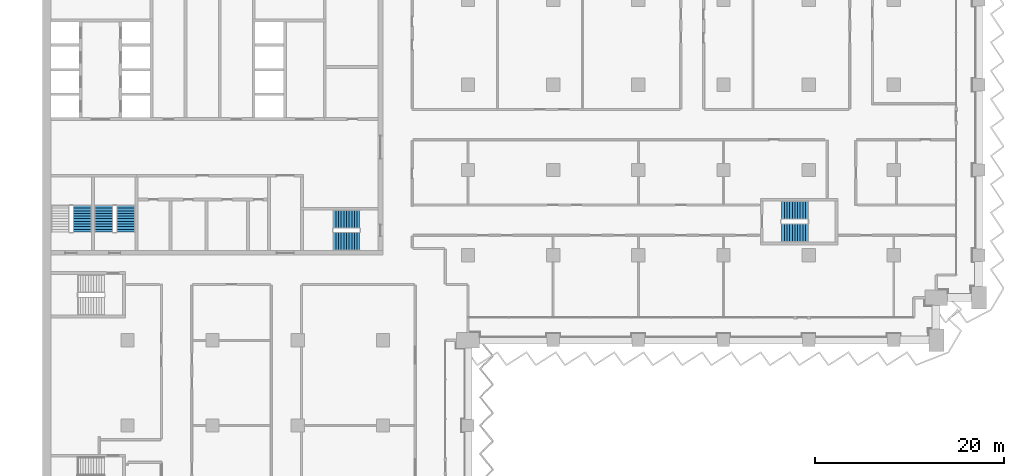
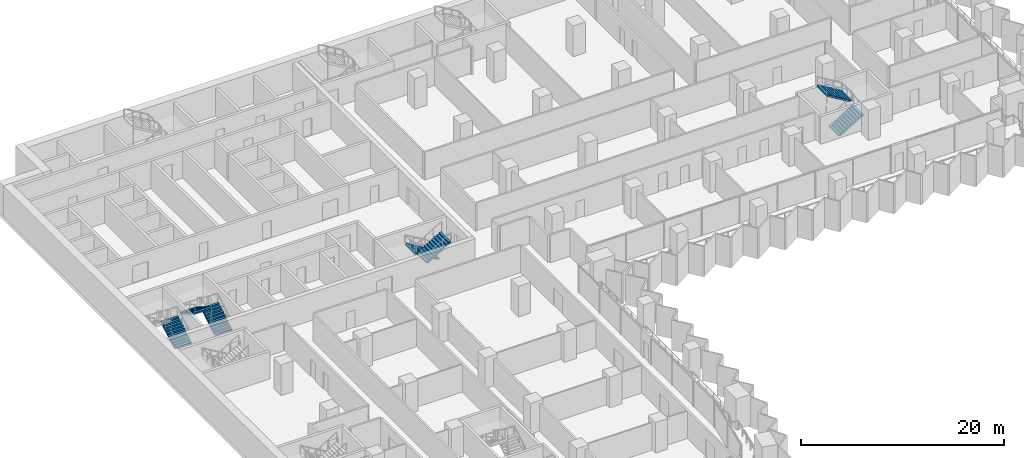
# One storey, part 20 of 28: 7 stair flights, 4 elements without a shape of their own.
"""IFC4 building model written with IfcOpenShell, lengths in metres."""

from ifc_helpers import new_model, si_unit, direction, frame, origin, place, context, subcontext, project, spatial, polyline, outline, extrude, material, type_object, element, aggregate, save


model = new_model("IFC4")

# Units and contexts
model_context = context("Model", 3, precision=1e-05, world=origin(), true_north=direction((0.0, 1.0)))
body_context = subcontext(model_context, "Body", "Model", "MODEL_VIEW")
ifc_project = project(units=[si_unit("LENGTHUNIT", "METRE"), si_unit("AREAUNIT", "SQUARE_METRE"), si_unit("VOLUMEUNIT", "CUBIC_METRE"), si_unit("PLANEANGLEUNIT", "RADIAN"), si_unit("MASSUNIT", "GRAM", prefix="KILO")], contexts=[model_context])

# Site, building, storey
site_placement = place(None, origin())
site = spatial("IfcSite", under=ifc_project, at=site_placement, CompositionType="ELEMENT")
building_placement = place(site_placement, origin())
building = spatial("IfcBuilding", under=site, at=building_placement, Name="Hunhe Ridgeline Campus", CompositionType="ELEMENT")
storey_placement = place(building_placement, frame((0.0, 0.0, 72.800048828125)))
storey = spatial("IfcBuildingStorey", under=building, at=storey_placement, Name="L17", CompositionType="ELEMENT", Elevation=72.800048828125)

# Stair, stair flights
ifc_material = material(Name="Concrete C40", Category="concrete")
stair_type = type_object("IfcStairType", Name="Reinforced concrete dog-leg stair 1950 Concrete C40", PredefinedType="HALF_TURN_STAIR", material=ifc_material)
stair_1_placement = place(storey_placement, origin())
stair_1 = element("IfcStair", 1, at=stair_1_placement, inside=storey, type_object=stair_type, Name="L17 S2", PredefinedType="HALF_TURN_STAIR")
stair_flight_type = type_object("IfcStairFlightType", Name="Reinforced concrete stair flight 1950 Concrete C40", PredefinedType="STRAIGHT", material=ifc_material)
stair_flight_1_placement = place(storey_placement, frame((33.550048828125, 66.77490234375, 0.0), z_axis=(0.0, 0.0, 1.0), x_axis=(-1.0, 0.0, 0.0)))
stair_flight_1 = element("IfcStairFlight", 2, at=stair_flight_1_placement, type_object=stair_flight_type, Name="ST2 flight 1", NumberOfRisers=11, NumberOfTreads=10, PredefinedType="STRAIGHT", RiserHeight=0.168181818, TreadLength=0.28, context=body_context, shape_type="SweptSolid", body=[
    extrude(outline(polyline([(0.0, 0.0), (0.0, 0.168212890625), (0.280029296875, 0.168212890625), (0.280029296875, 0.33642578125), (0.56005859375, 0.33642578125), (0.56005859375, 0.504638671875), (0.840087890625, 0.504638671875), (0.840087890625, 0.672607421875), (1.1201171875, 0.672607421875), (1.1201171875, 0.8408203125), (1.39990234375, 0.8408203125), (1.39990234375, 1.009033203125), (1.679931640625, 1.009033203125), (1.679931640625, 1.17724609375), (1.9599609375, 1.17724609375), (1.9599609375, 1.345458984375), (2.239990234375, 1.345458984375), (2.239990234375, 1.513671875), (2.52001953125, 1.513671875), (2.52001953125, 1.681884765625), (2.800048828125, 1.681884765625), (2.800048828125, 1.85009765625), (2.800048828125, 1.5068359375), (0.291015625, 0.0), (0.0, 0.0)])), frame((0.0, 0.97509765625, 0.0), z_axis=(0.0, -1.0, 0.0), x_axis=(1.0, 0.0, 0.0)), (0.0, 0.0, 1.0), 1.949951171875),
    extrude(outline(polyline([(0.030029296875, 0.030029296875), (0.030029296875, 0.13818359375), (0.31005859375, 0.13818359375), (0.31005859375, 0.306396484375), (0.590087890625, 0.306396484375), (0.590087890625, 0.474609375), (0.8701171875, 0.474609375), (0.8701171875, 0.642578125), (1.14990234375, 0.642578125), (1.14990234375, 0.810791015625), (1.429931640625, 0.810791015625), (1.429931640625, 0.97900390625), (1.7099609375, 0.97900390625), (1.7099609375, 1.147216796875), (1.989990234375, 1.147216796875), (1.989990234375, 1.3154296875), (2.27001953125, 1.3154296875), (2.27001953125, 1.483642578125), (2.550048828125, 1.483642578125), (2.550048828125, 1.65185546875), (2.77001953125, 1.65185546875), (2.77001953125, 1.52392578125), (0.28271484375, 0.030029296875), (0.030029296875, 0.030029296875)])), frame((0.0, -0.070068359375, 0.0), z_axis=(0.0, -1.0, 0.0), x_axis=(1.0, 0.0, 0.0)), (0.0, 0.0, 1.0), 0.019775390625),
    extrude(outline(polyline([(0.030029296875, 0.030029296875), (0.030029296875, 0.13818359375), (0.31005859375, 0.13818359375), (0.31005859375, 0.306396484375), (0.590087890625, 0.306396484375), (0.590087890625, 0.474609375), (0.8701171875, 0.474609375), (0.8701171875, 0.642578125), (1.14990234375, 0.642578125), (1.14990234375, 0.810791015625), (1.429931640625, 0.810791015625), (1.429931640625, 0.97900390625), (1.7099609375, 0.97900390625), (1.7099609375, 1.147216796875), (1.989990234375, 1.147216796875), (1.989990234375, 1.3154296875), (2.27001953125, 1.3154296875), (2.27001953125, 1.483642578125), (2.550048828125, 1.483642578125), (2.550048828125, 1.65185546875), (2.77001953125, 1.65185546875), (2.77001953125, 1.52392578125), (0.28271484375, 0.030029296875), (0.030029296875, 0.030029296875)])), frame((0.0, 0.010009765625, 0.0), z_axis=(0.0, -1.0, 0.0), x_axis=(1.0, 0.0, 0.0)), (0.0, 0.0, 1.0), 0.019775390625),
    extrude(outline(polyline([(0.030029296875, 0.030029296875), (0.030029296875, 0.13818359375), (0.31005859375, 0.13818359375), (0.31005859375, 0.306396484375), (0.590087890625, 0.306396484375), (0.590087890625, 0.474609375), (0.8701171875, 0.474609375), (0.8701171875, 0.642578125), (1.14990234375, 0.642578125), (1.14990234375, 0.810791015625), (1.429931640625, 0.810791015625), (1.429931640625, 0.97900390625), (1.7099609375, 0.97900390625), (1.7099609375, 1.147216796875), (1.989990234375, 1.147216796875), (1.989990234375, 1.3154296875), (2.27001953125, 1.3154296875), (2.27001953125, 1.483642578125), (2.550048828125, 1.483642578125), (2.550048828125, 1.65185546875), (2.77001953125, 1.65185546875), (2.77001953125, 1.52392578125), (0.28271484375, 0.030029296875), (0.030029296875, 0.030029296875)])), frame((0.0, 0.090087890625, 0.0), z_axis=(0.0, -1.0, 0.0), x_axis=(1.0, 0.0, 0.0)), (0.0, 0.0, 1.0), 0.019775390625),
])
stair_flight_2_placement = place(storey_placement, frame((30.75, 64.47509765625, 1.849853515625), z_axis=(0.0, 0.0, 1.0), x_axis=(1.0, 0.0, 0.0)))
stair_flight_2 = element("IfcStairFlight", 3, at=stair_flight_2_placement, type_object=stair_flight_type, Name="ST2 flight 2", NumberOfRisers=11, NumberOfTreads=10, PredefinedType="STRAIGHT", RiserHeight=0.168181818, TreadLength=0.28, context=body_context, shape_type="SweptSolid", body=[
    extrude(outline(polyline([(0.0, 0.0), (0.0, 0.168212890625), (0.280029296875, 0.168212890625), (0.280029296875, 0.33642578125), (0.56005859375, 0.33642578125), (0.56005859375, 0.504638671875), (0.840087890625, 0.504638671875), (0.840087890625, 0.672607421875), (1.1201171875, 0.672607421875), (1.1201171875, 0.8408203125), (1.39990234375, 0.8408203125), (1.39990234375, 1.009033203125), (1.679931640625, 1.009033203125), (1.679931640625, 1.17724609375), (1.9599609375, 1.17724609375), (1.9599609375, 1.345458984375), (2.239990234375, 1.345458984375), (2.239990234375, 1.513671875), (2.52001953125, 1.513671875), (2.52001953125, 1.681884765625), (2.800048828125, 1.681884765625), (2.800048828125, 1.85009765625), (2.800048828125, 1.5068359375), (0.291015625, 0.0), (0.0, 0.0)])), frame((0.0, 0.97509765625, 0.0), z_axis=(0.0, -1.0, 0.0), x_axis=(1.0, 0.0, 0.0)), (0.0, 0.0, 1.0), 1.949951171875),
    extrude(outline(polyline([(0.030029296875, 0.030029296875), (0.030029296875, 0.13818359375), (0.31005859375, 0.13818359375), (0.31005859375, 0.306396484375), (0.590087890625, 0.306396484375), (0.590087890625, 0.474609375), (0.8701171875, 0.474609375), (0.8701171875, 0.642578125), (1.14990234375, 0.642578125), (1.14990234375, 0.810791015625), (1.429931640625, 0.810791015625), (1.429931640625, 0.97900390625), (1.7099609375, 0.97900390625), (1.7099609375, 1.147216796875), (1.989990234375, 1.147216796875), (1.989990234375, 1.3154296875), (2.27001953125, 1.3154296875), (2.27001953125, 1.483642578125), (2.550048828125, 1.483642578125), (2.550048828125, 1.65185546875), (2.77001953125, 1.65185546875), (2.77001953125, 1.52392578125), (0.28271484375, 0.030029296875), (0.030029296875, 0.030029296875)])), frame((0.0, -0.070068359375, 0.0), z_axis=(0.0, -1.0, 0.0), x_axis=(1.0, 0.0, 0.0)), (0.0, 0.0, 1.0), 0.019775390625),
    extrude(outline(polyline([(0.030029296875, 0.030029296875), (0.030029296875, 0.13818359375), (0.31005859375, 0.13818359375), (0.31005859375, 0.306396484375), (0.590087890625, 0.306396484375), (0.590087890625, 0.474609375), (0.8701171875, 0.474609375), (0.8701171875, 0.642578125), (1.14990234375, 0.642578125), (1.14990234375, 0.810791015625), (1.429931640625, 0.810791015625), (1.429931640625, 0.97900390625), (1.7099609375, 0.97900390625), (1.7099609375, 1.147216796875), (1.989990234375, 1.147216796875), (1.989990234375, 1.3154296875), (2.27001953125, 1.3154296875), (2.27001953125, 1.483642578125), (2.550048828125, 1.483642578125), (2.550048828125, 1.65185546875), (2.77001953125, 1.65185546875), (2.77001953125, 1.52392578125), (0.28271484375, 0.030029296875), (0.030029296875, 0.030029296875)])), frame((0.0, 0.010009765625, 0.0), z_axis=(0.0, -1.0, 0.0), x_axis=(1.0, 0.0, 0.0)), (0.0, 0.0, 1.0), 0.019775390625),
    extrude(outline(polyline([(0.030029296875, 0.030029296875), (0.030029296875, 0.13818359375), (0.31005859375, 0.13818359375), (0.31005859375, 0.306396484375), (0.590087890625, 0.306396484375), (0.590087890625, 0.474609375), (0.8701171875, 0.474609375), (0.8701171875, 0.642578125), (1.14990234375, 0.642578125), (1.14990234375, 0.810791015625), (1.429931640625, 0.810791015625), (1.429931640625, 0.97900390625), (1.7099609375, 0.97900390625), (1.7099609375, 1.147216796875), (1.989990234375, 1.147216796875), (1.989990234375, 1.3154296875), (2.27001953125, 1.3154296875), (2.27001953125, 1.483642578125), (2.550048828125, 1.483642578125), (2.550048828125, 1.65185546875), (2.77001953125, 1.65185546875), (2.77001953125, 1.52392578125), (0.28271484375, 0.030029296875), (0.030029296875, 0.030029296875)])), frame((0.0, 0.090087890625, 0.0), z_axis=(0.0, -1.0, 0.0), x_axis=(1.0, 0.0, 0.0)), (0.0, 0.0, 1.0), 0.019775390625),
])
aggregate(stair_1, [stair_flight_1, stair_flight_2])

# Stair, stair flight
stair_2_placement = place(storey_placement, origin())
stair_2 = element("IfcStair", 4, at=stair_2_placement, inside=storey, type_object=stair_type, Name="L17 S3", PredefinedType="HALF_TURN_STAIR")
stair_flight_3_placement = place(storey_placement, frame((4.22509765625, 65.449951171875, 0.0), z_axis=(0.0, 0.0, 1.0), x_axis=(0.0, 1.0, 0.0)))
stair_flight_3 = element("IfcStairFlight", 5, at=stair_flight_3_placement, type_object=stair_flight_type, Name="ST3 flight 1", NumberOfRisers=11, NumberOfTreads=10, PredefinedType="STRAIGHT", RiserHeight=0.168181818, TreadLength=0.28, context=body_context, shape_type="SweptSolid", body=[
    extrude(outline(polyline([(0.0, 0.0), (0.0, 0.168212890625), (0.280029296875, 0.168212890625), (0.280029296875, 0.33642578125), (0.56005859375, 0.33642578125), (0.56005859375, 0.504638671875), (0.840087890625, 0.504638671875), (0.840087890625, 0.672607421875), (1.1201171875, 0.672607421875), (1.1201171875, 0.8408203125), (1.39990234375, 0.8408203125), (1.39990234375, 1.009033203125), (1.679931640625, 1.009033203125), (1.679931640625, 1.17724609375), (1.9599609375, 1.17724609375), (1.9599609375, 1.345458984375), (2.239990234375, 1.345458984375), (2.239990234375, 1.513671875), (2.52001953125, 1.513671875), (2.52001953125, 1.681884765625), (2.800048828125, 1.681884765625), (2.800048828125, 1.85009765625), (2.800048828125, 1.5068359375), (0.291015625, 0.0), (0.0, 0.0)])), frame((0.0, 0.97509765625, 0.0), z_axis=(0.0, -1.0, 0.0), x_axis=(1.0, 0.0, 0.0)), (0.0, 0.0, 1.0), 1.949951171875),
    extrude(outline(polyline([(0.030029296875, 0.030029296875), (0.030029296875, 0.13818359375), (0.31005859375, 0.13818359375), (0.31005859375, 0.306396484375), (0.590087890625, 0.306396484375), (0.590087890625, 0.474609375), (0.8701171875, 0.474609375), (0.8701171875, 0.642578125), (1.14990234375, 0.642578125), (1.14990234375, 0.810791015625), (1.429931640625, 0.810791015625), (1.429931640625, 0.97900390625), (1.7099609375, 0.97900390625), (1.7099609375, 1.147216796875), (1.989990234375, 1.147216796875), (1.989990234375, 1.3154296875), (2.27001953125, 1.3154296875), (2.27001953125, 1.483642578125), (2.550048828125, 1.483642578125), (2.550048828125, 1.65185546875), (2.77001953125, 1.65185546875), (2.77001953125, 1.52392578125), (0.28271484375, 0.030029296875), (0.030029296875, 0.030029296875)])), frame((0.0, -0.070068359375, 0.0), z_axis=(0.0, -1.0, 0.0), x_axis=(1.0, 0.0, 0.0)), (0.0, 0.0, 1.0), 0.019775390625),
    extrude(outline(polyline([(0.030029296875, 0.030029296875), (0.030029296875, 0.13818359375), (0.31005859375, 0.13818359375), (0.31005859375, 0.306396484375), (0.590087890625, 0.306396484375), (0.590087890625, 0.474609375), (0.8701171875, 0.474609375), (0.8701171875, 0.642578125), (1.14990234375, 0.642578125), (1.14990234375, 0.810791015625), (1.429931640625, 0.810791015625), (1.429931640625, 0.97900390625), (1.7099609375, 0.97900390625), (1.7099609375, 1.147216796875), (1.989990234375, 1.147216796875), (1.989990234375, 1.3154296875), (2.27001953125, 1.3154296875), (2.27001953125, 1.483642578125), (2.550048828125, 1.483642578125), (2.550048828125, 1.65185546875), (2.77001953125, 1.65185546875), (2.77001953125, 1.52392578125), (0.28271484375, 0.030029296875), (0.030029296875, 0.030029296875)])), frame((0.0, 0.010009765625, 0.0), z_axis=(0.0, -1.0, 0.0), x_axis=(1.0, 0.0, 0.0)), (0.0, 0.0, 1.0), 0.019775390625),
    extrude(outline(polyline([(0.030029296875, 0.030029296875), (0.030029296875, 0.13818359375), (0.31005859375, 0.13818359375), (0.31005859375, 0.306396484375), (0.590087890625, 0.306396484375), (0.590087890625, 0.474609375), (0.8701171875, 0.474609375), (0.8701171875, 0.642578125), (1.14990234375, 0.642578125), (1.14990234375, 0.810791015625), (1.429931640625, 0.810791015625), (1.429931640625, 0.97900390625), (1.7099609375, 0.97900390625), (1.7099609375, 1.147216796875), (1.989990234375, 1.147216796875), (1.989990234375, 1.3154296875), (2.27001953125, 1.3154296875), (2.27001953125, 1.483642578125), (2.550048828125, 1.483642578125), (2.550048828125, 1.65185546875), (2.77001953125, 1.65185546875), (2.77001953125, 1.52392578125), (0.28271484375, 0.030029296875), (0.030029296875, 0.030029296875)])), frame((0.0, 0.090087890625, 0.0), z_axis=(0.0, -1.0, 0.0), x_axis=(1.0, 0.0, 0.0)), (0.0, 0.0, 1.0), 0.019775390625),
])
aggregate(stair_2, [stair_flight_3])

# Stair, stair flights
stair_3_placement = place(storey_placement, origin())
stair_3 = element("IfcStair", 6, at=stair_3_placement, inside=storey, type_object=stair_type, Name="L17 S4", PredefinedType="HALF_TURN_STAIR")
stair_flight_4_placement = place(storey_placement, frame((8.824951171875, 65.449951171875, 0.0), z_axis=(0.0, 0.0, 1.0), x_axis=(0.0, 1.0, 0.0)))
stair_flight_4 = element("IfcStairFlight", 7, at=stair_flight_4_placement, type_object=stair_flight_type, Name="ST4 flight 1", NumberOfRisers=11, NumberOfTreads=10, PredefinedType="STRAIGHT", RiserHeight=0.168181818, TreadLength=0.28, context=body_context, shape_type="SweptSolid", body=[
    extrude(outline(polyline([(0.0, 0.0), (0.0, 0.168212890625), (0.280029296875, 0.168212890625), (0.280029296875, 0.33642578125), (0.56005859375, 0.33642578125), (0.56005859375, 0.504638671875), (0.840087890625, 0.504638671875), (0.840087890625, 0.672607421875), (1.1201171875, 0.672607421875), (1.1201171875, 0.8408203125), (1.39990234375, 0.8408203125), (1.39990234375, 1.009033203125), (1.679931640625, 1.009033203125), (1.679931640625, 1.17724609375), (1.9599609375, 1.17724609375), (1.9599609375, 1.345458984375), (2.239990234375, 1.345458984375), (2.239990234375, 1.513671875), (2.52001953125, 1.513671875), (2.52001953125, 1.681884765625), (2.800048828125, 1.681884765625), (2.800048828125, 1.85009765625), (2.800048828125, 1.5068359375), (0.291015625, 0.0), (0.0, 0.0)])), frame((0.0, 0.97509765625, 0.0), z_axis=(0.0, -1.0, 0.0), x_axis=(1.0, 0.0, 0.0)), (0.0, 0.0, 1.0), 1.949951171875),
    extrude(outline(polyline([(0.030029296875, 0.030029296875), (0.030029296875, 0.13818359375), (0.31005859375, 0.13818359375), (0.31005859375, 0.306396484375), (0.590087890625, 0.306396484375), (0.590087890625, 0.474609375), (0.8701171875, 0.474609375), (0.8701171875, 0.642578125), (1.14990234375, 0.642578125), (1.14990234375, 0.810791015625), (1.429931640625, 0.810791015625), (1.429931640625, 0.97900390625), (1.7099609375, 0.97900390625), (1.7099609375, 1.147216796875), (1.989990234375, 1.147216796875), (1.989990234375, 1.3154296875), (2.27001953125, 1.3154296875), (2.27001953125, 1.483642578125), (2.550048828125, 1.483642578125), (2.550048828125, 1.65185546875), (2.77001953125, 1.65185546875), (2.77001953125, 1.52392578125), (0.28271484375, 0.030029296875), (0.030029296875, 0.030029296875)])), frame((0.0, -0.070068359375, 0.0), z_axis=(0.0, -1.0, 0.0), x_axis=(1.0, 0.0, 0.0)), (0.0, 0.0, 1.0), 0.019775390625),
    extrude(outline(polyline([(0.030029296875, 0.030029296875), (0.030029296875, 0.13818359375), (0.31005859375, 0.13818359375), (0.31005859375, 0.306396484375), (0.590087890625, 0.306396484375), (0.590087890625, 0.474609375), (0.8701171875, 0.474609375), (0.8701171875, 0.642578125), (1.14990234375, 0.642578125), (1.14990234375, 0.810791015625), (1.429931640625, 0.810791015625), (1.429931640625, 0.97900390625), (1.7099609375, 0.97900390625), (1.7099609375, 1.147216796875), (1.989990234375, 1.147216796875), (1.989990234375, 1.3154296875), (2.27001953125, 1.3154296875), (2.27001953125, 1.483642578125), (2.550048828125, 1.483642578125), (2.550048828125, 1.65185546875), (2.77001953125, 1.65185546875), (2.77001953125, 1.52392578125), (0.28271484375, 0.030029296875), (0.030029296875, 0.030029296875)])), frame((0.0, 0.010009765625, 0.0), z_axis=(0.0, -1.0, 0.0), x_axis=(1.0, 0.0, 0.0)), (0.0, 0.0, 1.0), 0.019775390625),
    extrude(outline(polyline([(0.030029296875, 0.030029296875), (0.030029296875, 0.13818359375), (0.31005859375, 0.13818359375), (0.31005859375, 0.306396484375), (0.590087890625, 0.306396484375), (0.590087890625, 0.474609375), (0.8701171875, 0.474609375), (0.8701171875, 0.642578125), (1.14990234375, 0.642578125), (1.14990234375, 0.810791015625), (1.429931640625, 0.810791015625), (1.429931640625, 0.97900390625), (1.7099609375, 0.97900390625), (1.7099609375, 1.147216796875), (1.989990234375, 1.147216796875), (1.989990234375, 1.3154296875), (2.27001953125, 1.3154296875), (2.27001953125, 1.483642578125), (2.550048828125, 1.483642578125), (2.550048828125, 1.65185546875), (2.77001953125, 1.65185546875), (2.77001953125, 1.52392578125), (0.28271484375, 0.030029296875), (0.030029296875, 0.030029296875)])), frame((0.0, 0.090087890625, 0.0), z_axis=(0.0, -1.0, 0.0), x_axis=(1.0, 0.0, 0.0)), (0.0, 0.0, 1.0), 0.019775390625),
])
stair_flight_5_placement = place(storey_placement, frame((6.47509765625, 68.25, 1.849853515625), z_axis=(0.0, 0.0, 1.0), x_axis=(0.0, -1.0, 0.0)))
stair_flight_5 = element("IfcStairFlight", 8, at=stair_flight_5_placement, type_object=stair_flight_type, Name="ST4 flight 2", NumberOfRisers=11, NumberOfTreads=10, PredefinedType="STRAIGHT", RiserHeight=0.168181818, TreadLength=0.28, context=body_context, shape_type="SweptSolid", body=[
    extrude(outline(polyline([(0.0, 0.0), (0.0, 0.168212890625), (0.280029296875, 0.168212890625), (0.280029296875, 0.33642578125), (0.56005859375, 0.33642578125), (0.56005859375, 0.504638671875), (0.840087890625, 0.504638671875), (0.840087890625, 0.672607421875), (1.1201171875, 0.672607421875), (1.1201171875, 0.8408203125), (1.39990234375, 0.8408203125), (1.39990234375, 1.009033203125), (1.679931640625, 1.009033203125), (1.679931640625, 1.17724609375), (1.9599609375, 1.17724609375), (1.9599609375, 1.345458984375), (2.239990234375, 1.345458984375), (2.239990234375, 1.513671875), (2.52001953125, 1.513671875), (2.52001953125, 1.681884765625), (2.800048828125, 1.681884765625), (2.800048828125, 1.85009765625), (2.800048828125, 1.5068359375), (0.291015625, 0.0), (0.0, 0.0)])), frame((0.0, 0.97509765625, 0.0), z_axis=(0.0, -1.0, 0.0), x_axis=(1.0, 0.0, 0.0)), (0.0, 0.0, 1.0), 1.949951171875),
    extrude(outline(polyline([(0.030029296875, 0.030029296875), (0.030029296875, 0.13818359375), (0.31005859375, 0.13818359375), (0.31005859375, 0.306396484375), (0.590087890625, 0.306396484375), (0.590087890625, 0.474609375), (0.8701171875, 0.474609375), (0.8701171875, 0.642578125), (1.14990234375, 0.642578125), (1.14990234375, 0.810791015625), (1.429931640625, 0.810791015625), (1.429931640625, 0.97900390625), (1.7099609375, 0.97900390625), (1.7099609375, 1.147216796875), (1.989990234375, 1.147216796875), (1.989990234375, 1.3154296875), (2.27001953125, 1.3154296875), (2.27001953125, 1.483642578125), (2.550048828125, 1.483642578125), (2.550048828125, 1.65185546875), (2.77001953125, 1.65185546875), (2.77001953125, 1.52392578125), (0.28271484375, 0.030029296875), (0.030029296875, 0.030029296875)])), frame((0.0, -0.070068359375, 0.0), z_axis=(0.0, -1.0, 0.0), x_axis=(1.0, 0.0, 0.0)), (0.0, 0.0, 1.0), 0.019775390625),
    extrude(outline(polyline([(0.030029296875, 0.030029296875), (0.030029296875, 0.13818359375), (0.31005859375, 0.13818359375), (0.31005859375, 0.306396484375), (0.590087890625, 0.306396484375), (0.590087890625, 0.474609375), (0.8701171875, 0.474609375), (0.8701171875, 0.642578125), (1.14990234375, 0.642578125), (1.14990234375, 0.810791015625), (1.429931640625, 0.810791015625), (1.429931640625, 0.97900390625), (1.7099609375, 0.97900390625), (1.7099609375, 1.147216796875), (1.989990234375, 1.147216796875), (1.989990234375, 1.3154296875), (2.27001953125, 1.3154296875), (2.27001953125, 1.483642578125), (2.550048828125, 1.483642578125), (2.550048828125, 1.65185546875), (2.77001953125, 1.65185546875), (2.77001953125, 1.52392578125), (0.28271484375, 0.030029296875), (0.030029296875, 0.030029296875)])), frame((0.0, 0.010009765625, 0.0), z_axis=(0.0, -1.0, 0.0), x_axis=(1.0, 0.0, 0.0)), (0.0, 0.0, 1.0), 0.019775390625),
    extrude(outline(polyline([(0.030029296875, 0.030029296875), (0.030029296875, 0.13818359375), (0.31005859375, 0.13818359375), (0.31005859375, 0.306396484375), (0.590087890625, 0.306396484375), (0.590087890625, 0.474609375), (0.8701171875, 0.474609375), (0.8701171875, 0.642578125), (1.14990234375, 0.642578125), (1.14990234375, 0.810791015625), (1.429931640625, 0.810791015625), (1.429931640625, 0.97900390625), (1.7099609375, 0.97900390625), (1.7099609375, 1.147216796875), (1.989990234375, 1.147216796875), (1.989990234375, 1.3154296875), (2.27001953125, 1.3154296875), (2.27001953125, 1.483642578125), (2.550048828125, 1.483642578125), (2.550048828125, 1.65185546875), (2.77001953125, 1.65185546875), (2.77001953125, 1.52392578125), (0.28271484375, 0.030029296875), (0.030029296875, 0.030029296875)])), frame((0.0, 0.090087890625, 0.0), z_axis=(0.0, -1.0, 0.0), x_axis=(1.0, 0.0, 0.0)), (0.0, 0.0, 1.0), 0.019775390625),
])
aggregate(stair_3, [stair_flight_4, stair_flight_5])

stair_4_placement = place(storey_placement, origin())
stair_4 = element("IfcStair", 9, at=stair_4_placement, inside=storey, type_object=stair_type, Name="L17 E5", PredefinedType="HALF_TURN_STAIR")
stair_flight_6_placement = place(storey_placement, frame((78.14990234375, 65.375, 0.0), z_axis=(0.0, 0.0, 1.0), x_axis=(1.0, 0.0, 0.0)))
stair_flight_6 = element("IfcStairFlight", 10, at=stair_flight_6_placement, type_object=stair_flight_type, Name="ST10 flight 1", NumberOfRisers=11, NumberOfTreads=10, PredefinedType="STRAIGHT", RiserHeight=0.168181818, TreadLength=0.28, context=body_context, shape_type="SweptSolid", body=[
    extrude(outline(polyline([(0.0, 0.0), (0.0, 0.168212890625), (0.280029296875, 0.168212890625), (0.280029296875, 0.33642578125), (0.56005859375, 0.33642578125), (0.56005859375, 0.504638671875), (0.840087890625, 0.504638671875), (0.840087890625, 0.672607421875), (1.1201171875, 0.672607421875), (1.1201171875, 0.8408203125), (1.39990234375, 0.8408203125), (1.39990234375, 1.009033203125), (1.679931640625, 1.009033203125), (1.679931640625, 1.17724609375), (1.9599609375, 1.17724609375), (1.9599609375, 1.345458984375), (2.239990234375, 1.345458984375), (2.239990234375, 1.513671875), (2.52001953125, 1.513671875), (2.52001953125, 1.681884765625), (2.800048828125, 1.681884765625), (2.800048828125, 1.85009765625), (2.800048828125, 1.5068359375), (0.291015625, 0.0), (0.0, 0.0)])), frame((0.0, 0.97509765625, 0.0), z_axis=(0.0, -1.0, 0.0), x_axis=(1.0, 0.0, 0.0)), (0.0, 0.0, 1.0), 1.949951171875),
    extrude(outline(polyline([(0.030029296875, 0.030029296875), (0.030029296875, 0.13818359375), (0.31005859375, 0.13818359375), (0.31005859375, 0.306396484375), (0.590087890625, 0.306396484375), (0.590087890625, 0.474609375), (0.8701171875, 0.474609375), (0.8701171875, 0.642578125), (1.14990234375, 0.642578125), (1.14990234375, 0.810791015625), (1.429931640625, 0.810791015625), (1.429931640625, 0.97900390625), (1.7099609375, 0.97900390625), (1.7099609375, 1.147216796875), (1.989990234375, 1.147216796875), (1.989990234375, 1.3154296875), (2.27001953125, 1.3154296875), (2.27001953125, 1.483642578125), (2.550048828125, 1.483642578125), (2.550048828125, 1.65185546875), (2.77001953125, 1.65185546875), (2.77001953125, 1.52392578125), (0.28271484375, 0.030029296875), (0.030029296875, 0.030029296875)])), frame((0.0, -0.070068359375, 0.0), z_axis=(0.0, -1.0, 0.0), x_axis=(1.0, 0.0, 0.0)), (0.0, 0.0, 1.0), 0.019775390625),
    extrude(outline(polyline([(0.030029296875, 0.030029296875), (0.030029296875, 0.13818359375), (0.31005859375, 0.13818359375), (0.31005859375, 0.306396484375), (0.590087890625, 0.306396484375), (0.590087890625, 0.474609375), (0.8701171875, 0.474609375), (0.8701171875, 0.642578125), (1.14990234375, 0.642578125), (1.14990234375, 0.810791015625), (1.429931640625, 0.810791015625), (1.429931640625, 0.97900390625), (1.7099609375, 0.97900390625), (1.7099609375, 1.147216796875), (1.989990234375, 1.147216796875), (1.989990234375, 1.3154296875), (2.27001953125, 1.3154296875), (2.27001953125, 1.483642578125), (2.550048828125, 1.483642578125), (2.550048828125, 1.65185546875), (2.77001953125, 1.65185546875), (2.77001953125, 1.52392578125), (0.28271484375, 0.030029296875), (0.030029296875, 0.030029296875)])), frame((0.0, 0.010009765625, 0.0), z_axis=(0.0, -1.0, 0.0), x_axis=(1.0, 0.0, 0.0)), (0.0, 0.0, 1.0), 0.019775390625),
    extrude(outline(polyline([(0.030029296875, 0.030029296875), (0.030029296875, 0.13818359375), (0.31005859375, 0.13818359375), (0.31005859375, 0.306396484375), (0.590087890625, 0.306396484375), (0.590087890625, 0.474609375), (0.8701171875, 0.474609375), (0.8701171875, 0.642578125), (1.14990234375, 0.642578125), (1.14990234375, 0.810791015625), (1.429931640625, 0.810791015625), (1.429931640625, 0.97900390625), (1.7099609375, 0.97900390625), (1.7099609375, 1.147216796875), (1.989990234375, 1.147216796875), (1.989990234375, 1.3154296875), (2.27001953125, 1.3154296875), (2.27001953125, 1.483642578125), (2.550048828125, 1.483642578125), (2.550048828125, 1.65185546875), (2.77001953125, 1.65185546875), (2.77001953125, 1.52392578125), (0.28271484375, 0.030029296875), (0.030029296875, 0.030029296875)])), frame((0.0, 0.090087890625, 0.0), z_axis=(0.0, -1.0, 0.0), x_axis=(1.0, 0.0, 0.0)), (0.0, 0.0, 1.0), 0.019775390625),
])
stair_flight_7_placement = place(storey_placement, frame((80.949951171875, 67.72509765625, 1.849853515625), z_axis=(0.0, 0.0, 1.0), x_axis=(-1.0, 0.0, 0.0)))
stair_flight_7 = element("IfcStairFlight", 11, at=stair_flight_7_placement, type_object=stair_flight_type, Name="ST10 flight 2", NumberOfRisers=11, NumberOfTreads=10, PredefinedType="STRAIGHT", RiserHeight=0.168181818, TreadLength=0.28, context=body_context, shape_type="SweptSolid", body=[
    extrude(outline(polyline([(0.0, 0.0), (0.0, 0.168212890625), (0.280029296875, 0.168212890625), (0.280029296875, 0.33642578125), (0.56005859375, 0.33642578125), (0.56005859375, 0.504638671875), (0.840087890625, 0.504638671875), (0.840087890625, 0.672607421875), (1.1201171875, 0.672607421875), (1.1201171875, 0.8408203125), (1.39990234375, 0.8408203125), (1.39990234375, 1.009033203125), (1.679931640625, 1.009033203125), (1.679931640625, 1.17724609375), (1.9599609375, 1.17724609375), (1.9599609375, 1.345458984375), (2.239990234375, 1.345458984375), (2.239990234375, 1.513671875), (2.52001953125, 1.513671875), (2.52001953125, 1.681884765625), (2.800048828125, 1.681884765625), (2.800048828125, 1.85009765625), (2.800048828125, 1.5068359375), (0.291015625, 0.0), (0.0, 0.0)])), frame((0.0, 0.97509765625, 0.0), z_axis=(0.0, -1.0, 0.0), x_axis=(1.0, 0.0, 0.0)), (0.0, 0.0, 1.0), 1.949951171875),
    extrude(outline(polyline([(0.030029296875, 0.030029296875), (0.030029296875, 0.13818359375), (0.31005859375, 0.13818359375), (0.31005859375, 0.306396484375), (0.590087890625, 0.306396484375), (0.590087890625, 0.474609375), (0.8701171875, 0.474609375), (0.8701171875, 0.642578125), (1.14990234375, 0.642578125), (1.14990234375, 0.810791015625), (1.429931640625, 0.810791015625), (1.429931640625, 0.97900390625), (1.7099609375, 0.97900390625), (1.7099609375, 1.147216796875), (1.989990234375, 1.147216796875), (1.989990234375, 1.3154296875), (2.27001953125, 1.3154296875), (2.27001953125, 1.483642578125), (2.550048828125, 1.483642578125), (2.550048828125, 1.65185546875), (2.77001953125, 1.65185546875), (2.77001953125, 1.52392578125), (0.28271484375, 0.030029296875), (0.030029296875, 0.030029296875)])), frame((0.0, -0.070068359375, 0.0), z_axis=(0.0, -1.0, 0.0), x_axis=(1.0, 0.0, 0.0)), (0.0, 0.0, 1.0), 0.019775390625),
    extrude(outline(polyline([(0.030029296875, 0.030029296875), (0.030029296875, 0.13818359375), (0.31005859375, 0.13818359375), (0.31005859375, 0.306396484375), (0.590087890625, 0.306396484375), (0.590087890625, 0.474609375), (0.8701171875, 0.474609375), (0.8701171875, 0.642578125), (1.14990234375, 0.642578125), (1.14990234375, 0.810791015625), (1.429931640625, 0.810791015625), (1.429931640625, 0.97900390625), (1.7099609375, 0.97900390625), (1.7099609375, 1.147216796875), (1.989990234375, 1.147216796875), (1.989990234375, 1.3154296875), (2.27001953125, 1.3154296875), (2.27001953125, 1.483642578125), (2.550048828125, 1.483642578125), (2.550048828125, 1.65185546875), (2.77001953125, 1.65185546875), (2.77001953125, 1.52392578125), (0.28271484375, 0.030029296875), (0.030029296875, 0.030029296875)])), frame((0.0, 0.010009765625, 0.0), z_axis=(0.0, -1.0, 0.0), x_axis=(1.0, 0.0, 0.0)), (0.0, 0.0, 1.0), 0.019775390625),
    extrude(outline(polyline([(0.030029296875, 0.030029296875), (0.030029296875, 0.13818359375), (0.31005859375, 0.13818359375), (0.31005859375, 0.306396484375), (0.590087890625, 0.306396484375), (0.590087890625, 0.474609375), (0.8701171875, 0.474609375), (0.8701171875, 0.642578125), (1.14990234375, 0.642578125), (1.14990234375, 0.810791015625), (1.429931640625, 0.810791015625), (1.429931640625, 0.97900390625), (1.7099609375, 0.97900390625), (1.7099609375, 1.147216796875), (1.989990234375, 1.147216796875), (1.989990234375, 1.3154296875), (2.27001953125, 1.3154296875), (2.27001953125, 1.483642578125), (2.550048828125, 1.483642578125), (2.550048828125, 1.65185546875), (2.77001953125, 1.65185546875), (2.77001953125, 1.52392578125), (0.28271484375, 0.030029296875), (0.030029296875, 0.030029296875)])), frame((0.0, 0.090087890625, 0.0), z_axis=(0.0, -1.0, 0.0), x_axis=(1.0, 0.0, 0.0)), (0.0, 0.0, 1.0), 0.019775390625),
])
aggregate(stair_4, [stair_flight_6, stair_flight_7])

save(model, "model.ifc")
